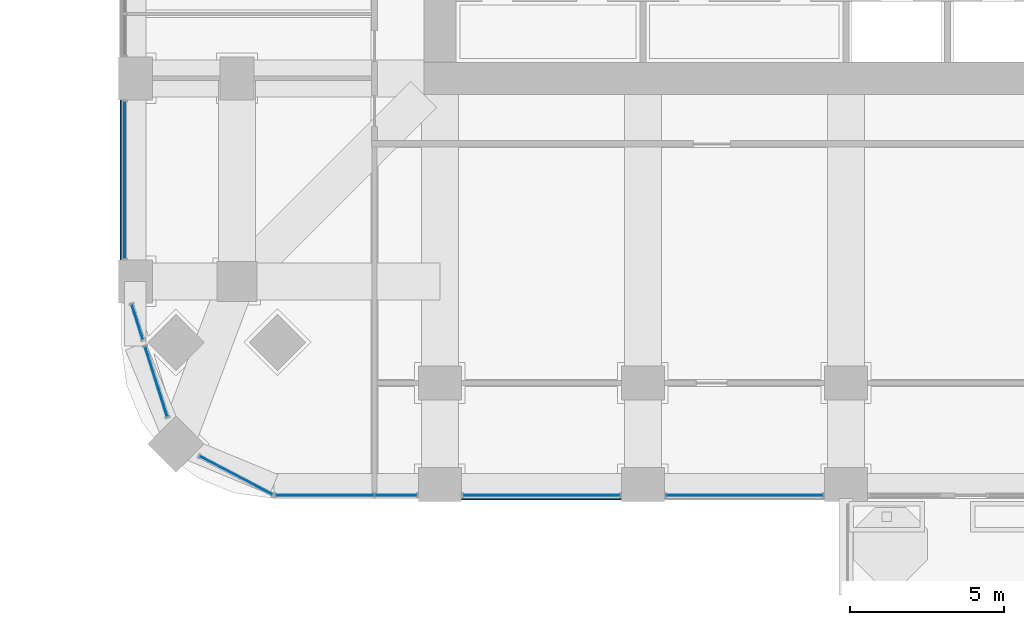
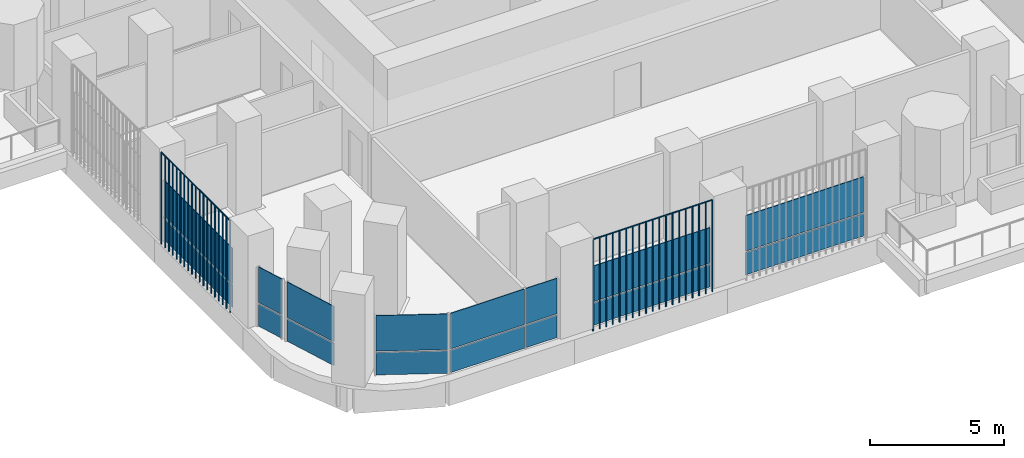
# One storey, part 9 of 22: 18 plates, 7 elements without a shape of their own.
"""IFC4 building model written with IfcOpenShell, lengths in metres."""

from ifc_helpers import new_model, si_unit, direction, frame, origin, origin_2d, place, context, subcontext, project, spatial, polyline, rectangle, outline, extrude, material, layer, layer_set, type_object, element, aggregate, save


model = new_model("IFC4")

# Units and contexts
model_context = context("Model", 3, precision=1e-05, world=origin(), true_north=direction((0.0, 1.0)))
body_context = subcontext(model_context, "Body", "Model", "MODEL_VIEW")
ifc_project = project(units=[si_unit("LENGTHUNIT", "METRE"), si_unit("AREAUNIT", "SQUARE_METRE"), si_unit("VOLUMEUNIT", "CUBIC_METRE"), si_unit("PLANEANGLEUNIT", "RADIAN"), si_unit("MASSUNIT", "GRAM", prefix="KILO")], contexts=[model_context])

# Site, building, storey
site_placement = place(None, origin())
site = spatial("IfcSite", under=ifc_project, at=site_placement, CompositionType="ELEMENT")
building_placement = place(site_placement, origin())
building = spatial("IfcBuilding", under=site, at=building_placement, Name="Cobogo Forest Laboratory Tower", CompositionType="ELEMENT")
storey_placement = place(building_placement, frame((0.0, 0.0, 120.0)))
storey = spatial("IfcBuildingStorey", under=building, at=storey_placement, Name="L27", CompositionType="ELEMENT", Elevation=120.0)

# Curtain wall, plates
ifc_material_1 = material(Name="Aluminium curtain wall", Category="aluminium")
curtain_wall_type = type_object("IfcCurtainWallType", Name="CW-1 unitised curtain wall, clear glazing, laboratory floors zones A and B", PredefinedType="USERDEFINED", material=ifc_material_1)
curtain_wall_1_placement = place(storey_placement, origin())
curtain_wall_1 = element("IfcCurtainWall", 1, at=curtain_wall_1_placement, inside=storey, type_object=curtain_wall_type, Name="Curtain wall 01 L27", ObjectType="UNITISED CURTAIN WALL", PredefinedType="USERDEFINED")
ifc_material_2 = material(Name="Clear insulated glass", Category="glass")
ifc_layer = layer(ifc_material_2, 0.028076171875)
ifc_layer_set = layer_set([ifc_layer], Name="GP-1 clear insulated glass unit 28")
plate_type_1 = type_object("IfcPlateType", Name="GP-1 clear insulated glass unit 28", PredefinedType="CURTAIN_PANEL", material=ifc_layer_set)
plate_1_placement = place(storey_placement, frame((9.452392578125, -0.35009765625, 0.0), z_axis=(0.0, 0.0, 1.0), x_axis=(1.0, 0.0, 0.0)))
plate_1 = element("IfcPlate", 2, at=plate_1_placement, type_object=plate_type_1, Name="CW-1 panel 1.1", PredefinedType="CURTAIN_PANEL", context=body_context, shape_type="SweptSolid", body=[
    extrude(rectangle(XDim=3.18505859375, YDim=0.028076171875, at=origin_2d()), origin(), (0.0, 0.0, 1.0), 1.02001953125),
])
plate_2_placement = place(storey_placement, frame((9.452392578125, -0.35009765625, 1.079833984375), z_axis=(0.0, 0.0, 1.0), x_axis=(1.0, 0.0, 0.0)))
plate_2 = element("IfcPlate", 3, at=plate_2_placement, type_object=plate_type_1, Name="CW-1 panel 1.2", PredefinedType="CURTAIN_PANEL", context=body_context, shape_type="SweptSolid", body=[
    extrude(rectangle(XDim=3.18505859375, YDim=0.028076171875, at=origin_2d()), origin(), (0.0, 0.0, 1.0), 1.6201171875),
])
plate_3_placement = place(storey_placement, frame((11.7724609375, -0.35009765625, 0.0), z_axis=(0.0, 0.0, 1.0), x_axis=(1.0, 0.0, 0.0)))
plate_3 = element("IfcPlate", 4, at=plate_3_placement, type_object=plate_type_1, Name="CW-1 panel 2.1", PredefinedType="CURTAIN_PANEL", context=body_context, shape_type="SweptSolid", body=[
    extrude(rectangle(XDim=1.3349609375, YDim=0.028076171875, at=origin_2d()), origin(), (0.0, 0.0, 1.0), 1.02001953125),
])
plate_4_placement = place(storey_placement, frame((11.7724609375, -0.35009765625, 1.079833984375), z_axis=(0.0, 0.0, 1.0), x_axis=(1.0, 0.0, 0.0)))
plate_4 = element("IfcPlate", 5, at=plate_4_placement, type_object=plate_type_1, Name="CW-1 panel 2.2", PredefinedType="CURTAIN_PANEL", context=body_context, shape_type="SweptSolid", body=[
    extrude(rectangle(XDim=1.3349609375, YDim=0.028076171875, at=origin_2d()), origin(), (0.0, 0.0, 1.0), 1.6201171875),
])
aggregate(curtain_wall_1, [plate_1, plate_2, plate_3, plate_4])

curtain_wall_2_placement = place(storey_placement, origin())
curtain_wall_2 = element("IfcCurtainWall", 6, at=curtain_wall_2_placement, inside=storey, type_object=curtain_wall_type, Name="Curtain wall 02 L27", ObjectType="UNITISED CURTAIN WALL", PredefinedType="USERDEFINED")
plate_5_placement = place(storey_placement, frame((16.5, -0.35009765625, 0.0), z_axis=(0.0, 0.0, 1.0), x_axis=(1.0, 0.0, 0.0)))
plate_5 = element("IfcPlate", 7, at=plate_5_placement, type_object=plate_type_1, Name="CW-1 panel 1.1", PredefinedType="CURTAIN_PANEL", context=body_context, shape_type="SweptSolid", body=[
    extrude(rectangle(XDim=5.080078125, YDim=0.028076171875, at=origin_2d()), origin(), (0.0, 0.0, 1.0), 1.02001953125),
])
plate_6_placement = place(storey_placement, frame((16.5, -0.35009765625, 1.079833984375), z_axis=(0.0, 0.0, 1.0), x_axis=(1.0, 0.0, 0.0)))
plate_6 = element("IfcPlate", 8, at=plate_6_placement, type_object=plate_type_1, Name="CW-1 panel 1.2", PredefinedType="CURTAIN_PANEL", context=body_context, shape_type="SweptSolid", body=[
    extrude(rectangle(XDim=5.080078125, YDim=0.028076171875, at=origin_2d()), origin(), (0.0, 0.0, 1.0), 1.6201171875),
])
aggregate(curtain_wall_2, [plate_5, plate_6])

curtain_wall_3_placement = place(storey_placement, origin())
curtain_wall_3 = element("IfcCurtainWall", 9, at=curtain_wall_3_placement, inside=storey, type_object=curtain_wall_type, Name="Curtain wall 03 L27", ObjectType="UNITISED CURTAIN WALL", PredefinedType="USERDEFINED")
plate_7_placement = place(storey_placement, frame((23.10009765625, -0.35009765625, 0.0), z_axis=(0.0, 0.0, 1.0), x_axis=(1.0, 0.0, 0.0)))
plate_7 = element("IfcPlate", 10, at=plate_7_placement, type_object=plate_type_1, Name="CW-1 panel 1.1", PredefinedType="CURTAIN_PANEL", context=body_context, shape_type="SweptSolid", body=[
    extrude(rectangle(XDim=5.080078125, YDim=0.028076171875, at=origin_2d()), origin(), (0.0, 0.0, 1.0), 1.02001953125),
])
plate_8_placement = place(storey_placement, frame((23.10009765625, -0.35009765625, 1.079833984375), z_axis=(0.0, 0.0, 1.0), x_axis=(1.0, 0.0, 0.0)))
plate_8 = element("IfcPlate", 11, at=plate_8_placement, type_object=plate_type_1, Name="CW-1 panel 1.2", PredefinedType="CURTAIN_PANEL", context=body_context, shape_type="SweptSolid", body=[
    extrude(rectangle(XDim=5.080078125, YDim=0.028076171875, at=origin_2d()), origin(), (0.0, 0.0, 1.0), 1.6201171875),
])
aggregate(curtain_wall_3, [plate_7, plate_8])

curtain_wall_4_placement = place(storey_placement, origin())
curtain_wall_4 = element("IfcCurtainWall", 12, at=curtain_wall_4_placement, inside=storey, type_object=curtain_wall_type, Name="Curtain wall 31 L27", ObjectType="UNITISED CURTAIN WALL", PredefinedType="USERDEFINED")
plate_9_placement = place(storey_placement, frame((2.949951171875, 9.89990234375, 0.0), z_axis=(0.0, 0.0, 1.0), x_axis=(0.0, -1.0, 0.0)))
plate_9 = element("IfcPlate", 13, at=plate_9_placement, type_object=plate_type_1, Name="CW-1 panel 1.1", PredefinedType="CURTAIN_PANEL", context=body_context, shape_type="SweptSolid", body=[
    extrude(rectangle(XDim=5.080078125, YDim=0.028076171875, at=origin_2d()), origin(), (0.0, 0.0, 1.0), 1.02001953125),
])
plate_10_placement = place(storey_placement, frame((2.949951171875, 9.89990234375, 1.079833984375), z_axis=(0.0, 0.0, 1.0), x_axis=(0.0, -1.0, 0.0)))
plate_10 = element("IfcPlate", 14, at=plate_10_placement, type_object=plate_type_1, Name="CW-1 panel 1.2", PredefinedType="CURTAIN_PANEL", context=body_context, shape_type="SweptSolid", body=[
    extrude(rectangle(XDim=5.080078125, YDim=0.028076171875, at=origin_2d()), origin(), (0.0, 0.0, 1.0), 1.6201171875),
])
aggregate(curtain_wall_4, [plate_9, plate_10])

curtain_wall_5_placement = place(storey_placement, origin())
curtain_wall_5 = element("IfcCurtainWall", 15, at=curtain_wall_5_placement, inside=storey, type_object=curtain_wall_type, Name="Curtain wall 32 L27", ObjectType="UNITISED CURTAIN WALL", PredefinedType="USERDEFINED")
plate_11_placement = place(storey_placement, frame((3.3662109375, 5.2822265625, 0.0), z_axis=(0.0, 0.0, 1.0), x_axis=(0.301135356805, -0.953581405483, 0.0)))
plate_11 = element("IfcPlate", 16, at=plate_11_placement, type_object=plate_type_1, Name="CW-1 panel 1.1", PredefinedType="CURTAIN_PANEL", context=body_context, shape_type="SweptSolid", body=[
    extrude(rectangle(XDim=1.17578125, YDim=0.028076171875, at=origin_2d()), origin(), (0.0, 0.0, 1.0), 1.02001953125),
])
plate_12_placement = place(storey_placement, frame((3.3662109375, 5.2822265625, 1.079833984375), z_axis=(0.0, 0.0, 1.0), x_axis=(0.301135356805, -0.953581405483, 0.0)))
plate_12 = element("IfcPlate", 17, at=plate_12_placement, type_object=plate_type_1, Name="CW-1 panel 1.2", PredefinedType="CURTAIN_PANEL", context=body_context, shape_type="SweptSolid", body=[
    extrude(rectangle(XDim=1.17578125, YDim=0.028076171875, at=origin_2d()), origin(), (0.0, 0.0, 1.0), 1.6201171875),
])
aggregate(curtain_wall_5, [plate_11, plate_12])

curtain_wall_6_placement = place(storey_placement, origin())
curtain_wall_6 = element("IfcCurtainWall", 18, at=curtain_wall_6_placement, inside=storey, type_object=curtain_wall_type, Name="Curtain wall 33 L27", ObjectType="UNITISED CURTAIN WALL", PredefinedType="USERDEFINED")
plate_13_placement = place(storey_placement, frame((3.978759765625, 3.342529296875, 0.0), z_axis=(0.0, 0.0, 1.0), x_axis=(0.301135291996, -0.953581425949, 0.0)))
plate_13 = element("IfcPlate", 19, at=plate_13_placement, type_object=plate_type_1, Name="CW-1 panel 1.1", PredefinedType="CURTAIN_PANEL", context=body_context, shape_type="SweptSolid", body=[
    extrude(rectangle(XDim=2.3681640625, YDim=0.028076171875, at=origin_2d()), origin(), (0.0, 0.0, 1.0), 1.02001953125),
])
plate_14_placement = place(storey_placement, frame((3.978759765625, 3.342529296875, 1.079833984375), z_axis=(0.0, 0.0, 1.0), x_axis=(0.301135291996, -0.953581425949, 0.0)))
plate_14 = element("IfcPlate", 20, at=plate_14_placement, type_object=plate_type_1, Name="CW-1 panel 1.2", PredefinedType="CURTAIN_PANEL", context=body_context, shape_type="SweptSolid", body=[
    extrude(rectangle(XDim=2.3681640625, YDim=0.028076171875, at=origin_2d()), origin(), (0.0, 0.0, 1.0), 1.6201171875),
])
aggregate(curtain_wall_6, [plate_13, plate_14])

curtain_wall_7_placement = place(storey_placement, origin())
curtain_wall_7 = element("IfcCurtainWall", 21, at=curtain_wall_7_placement, inside=storey, type_object=curtain_wall_type, Name="Curtain wall 34 L27", ObjectType="UNITISED CURTAIN WALL", PredefinedType="USERDEFINED")
plate_15_placement = place(storey_placement, frame((6.57080078125, 0.29443359375, 0.0), z_axis=(0.0, 0.0, 1.0), x_axis=(0.885686547075, -0.464283685186, 0.0)))
plate_15 = element("IfcPlate", 22, at=plate_15_placement, type_object=plate_type_1, Name="CW-1 panel 1.1", PredefinedType="CURTAIN_PANEL", context=body_context, shape_type="SweptSolid", body=[
    extrude(rectangle(XDim=2.655517578125, YDim=0.028076171875, at=origin_2d()), origin(), (0.0, 0.0, 1.0), 1.02001953125),
])
plate_16_placement = place(storey_placement, frame((6.57080078125, 0.29443359375, 1.079833984375), z_axis=(0.0, 0.0, 1.0), x_axis=(0.885686547075, -0.464283685186, 0.0)))
plate_16 = element("IfcPlate", 23, at=plate_16_placement, type_object=plate_type_1, Name="CW-1 panel 1.2", PredefinedType="CURTAIN_PANEL", context=body_context, shape_type="SweptSolid", body=[
    extrude(rectangle(XDim=2.655517578125, YDim=0.028076171875, at=origin_2d()), origin(), (0.0, 0.0, 1.0), 1.6201171875),
])
aggregate(curtain_wall_7, [plate_15, plate_16])

# Plates
ifc_material_3 = material(Name="Terracotta", Category="masonry")
plate_type_2 = type_object("IfcPlateType", Name="TB1 terracotta baguette screen", PredefinedType="USERDEFINED", material=ifc_material_3)
plate_17_placement = place(storey_placement, frame((13.93115234375, -0.477783203125, -0.14990234375)))
element("IfcPlate", 24, at=plate_17_placement, inside=storey, type_object=plate_type_2, Name="Baguette screen S1 L27", ObjectType="BAGUETTE SCREEN", PredefinedType="USERDEFINED", context=body_context, shape_type="SweptSolid", body=[
    extrude(outline(polyline([(0.02880859375, 0.011962890625), (0.011962890625, 0.02880859375), (-0.011962890625, 0.02880859375), (-0.02880859375, 0.011962890625), (-0.02880859375, -0.011962890625), (-0.011962890625, -0.02880859375), (0.011962890625, -0.02880859375), (0.02880859375, -0.011962890625), (0.02880859375, 0.011962890625)])), frame((0.0, 0.0, 4.168701171875), z_axis=(1.0, 0.0, 0.0), x_axis=(0.0, 1.0, 0.0)), (0.0, 0.0, 1.0), 5.1376953125),
    extrude(outline(polyline([(0.02880859375, 0.011962890625), (0.011962890625, 0.02880859375), (-0.011962890625, 0.02880859375), (-0.02880859375, 0.011962890625), (-0.02880859375, -0.011962890625), (-0.011962890625, -0.02880859375), (0.011962890625, -0.02880859375), (0.02880859375, -0.011962890625), (0.02880859375, 0.011962890625)])), origin(), (0.0, 0.0, 1.0), 4.137451171875),
    extrude(outline(polyline([(0.02880859375, 0.011962890625), (0.011962890625, 0.02880859375), (-0.011962890625, 0.02880859375), (-0.02880859375, 0.011962890625), (-0.02880859375, -0.011962890625), (-0.011962890625, -0.02880859375), (0.011962890625, -0.02880859375), (0.02880859375, -0.011962890625), (0.02880859375, 0.011962890625)])), frame((0.285400390625, 0.0, 0.0)), (0.0, 0.0, 1.0), 4.137451171875),
    extrude(outline(polyline([(0.02880859375, 0.011962890625), (0.011962890625, 0.02880859375), (-0.011962890625, 0.02880859375), (-0.02880859375, 0.011962890625), (-0.02880859375, -0.011962890625), (-0.011962890625, -0.02880859375), (0.011962890625, -0.02880859375), (0.02880859375, -0.011962890625), (0.02880859375, 0.011962890625)])), frame((0.57080078125, 0.0, 0.0)), (0.0, 0.0, 1.0), 4.137451171875),
    extrude(outline(polyline([(0.02880859375, 0.011962890625), (0.011962890625, 0.02880859375), (-0.011962890625, 0.02880859375), (-0.02880859375, 0.011962890625), (-0.02880859375, -0.011962890625), (-0.011962890625, -0.02880859375), (0.011962890625, -0.02880859375), (0.02880859375, -0.011962890625), (0.02880859375, 0.011962890625)])), frame((0.856201171875, 0.0, 0.0)), (0.0, 0.0, 1.0), 4.137451171875),
    extrude(outline(polyline([(0.02880859375, 0.011962890625), (0.011962890625, 0.02880859375), (-0.011962890625, 0.02880859375), (-0.02880859375, 0.011962890625), (-0.02880859375, -0.011962890625), (-0.011962890625, -0.02880859375), (0.011962890625, -0.02880859375), (0.02880859375, -0.011962890625), (0.02880859375, 0.011962890625)])), frame((1.1416015625, 0.0, 0.0)), (0.0, 0.0, 1.0), 4.137451171875),
    extrude(outline(polyline([(0.02880859375, 0.011962890625), (0.011962890625, 0.02880859375), (-0.011962890625, 0.02880859375), (-0.02880859375, 0.011962890625), (-0.02880859375, -0.011962890625), (-0.011962890625, -0.02880859375), (0.011962890625, -0.02880859375), (0.02880859375, -0.011962890625), (0.02880859375, 0.011962890625)])), frame((1.42724609375, 0.0, 0.0)), (0.0, 0.0, 1.0), 4.137451171875),
    extrude(outline(polyline([(0.02880859375, 0.011962890625), (0.011962890625, 0.02880859375), (-0.011962890625, 0.02880859375), (-0.02880859375, 0.011962890625), (-0.02880859375, -0.011962890625), (-0.011962890625, -0.02880859375), (0.011962890625, -0.02880859375), (0.02880859375, -0.011962890625), (0.02880859375, 0.011962890625)])), frame((1.712646484375, 0.0, 0.0)), (0.0, 0.0, 1.0), 4.137451171875),
    extrude(outline(polyline([(0.02880859375, 0.011962890625), (0.011962890625, 0.02880859375), (-0.011962890625, 0.02880859375), (-0.02880859375, 0.011962890625), (-0.02880859375, -0.011962890625), (-0.011962890625, -0.02880859375), (0.011962890625, -0.02880859375), (0.02880859375, -0.011962890625), (0.02880859375, 0.011962890625)])), frame((1.998046875, 0.0, 0.0)), (0.0, 0.0, 1.0), 4.137451171875),
    extrude(outline(polyline([(0.02880859375, 0.011962890625), (0.011962890625, 0.02880859375), (-0.011962890625, 0.02880859375), (-0.02880859375, 0.011962890625), (-0.02880859375, -0.011962890625), (-0.011962890625, -0.02880859375), (0.011962890625, -0.02880859375), (0.02880859375, -0.011962890625), (0.02880859375, 0.011962890625)])), frame((2.283447265625, 0.0, 0.0)), (0.0, 0.0, 1.0), 4.137451171875),
    extrude(outline(polyline([(0.02880859375, 0.011962890625), (0.011962890625, 0.02880859375), (-0.011962890625, 0.02880859375), (-0.02880859375, 0.011962890625), (-0.02880859375, -0.011962890625), (-0.011962890625, -0.02880859375), (0.011962890625, -0.02880859375), (0.02880859375, -0.011962890625), (0.02880859375, 0.011962890625)])), frame((2.56884765625, 0.0, 0.0)), (0.0, 0.0, 1.0), 4.137451171875),
    extrude(outline(polyline([(0.02880859375, 0.011962890625), (0.011962890625, 0.02880859375), (-0.011962890625, 0.02880859375), (-0.02880859375, 0.011962890625), (-0.02880859375, -0.011962890625), (-0.011962890625, -0.02880859375), (0.011962890625, -0.02880859375), (0.02880859375, -0.011962890625), (0.02880859375, 0.011962890625)])), frame((2.854248046875, 0.0, 0.0)), (0.0, 0.0, 1.0), 4.137451171875),
    extrude(outline(polyline([(0.02880859375, 0.011962890625), (0.011962890625, 0.02880859375), (-0.011962890625, 0.02880859375), (-0.02880859375, 0.011962890625), (-0.02880859375, -0.011962890625), (-0.011962890625, -0.02880859375), (0.011962890625, -0.02880859375), (0.02880859375, -0.011962890625), (0.02880859375, 0.011962890625)])), frame((3.1396484375, 0.0, 0.0)), (0.0, 0.0, 1.0), 4.137451171875),
    extrude(outline(polyline([(0.02880859375, 0.011962890625), (0.011962890625, 0.02880859375), (-0.011962890625, 0.02880859375), (-0.02880859375, 0.011962890625), (-0.02880859375, -0.011962890625), (-0.011962890625, -0.02880859375), (0.011962890625, -0.02880859375), (0.02880859375, -0.011962890625), (0.02880859375, 0.011962890625)])), frame((3.425048828125, 0.0, 0.0)), (0.0, 0.0, 1.0), 4.137451171875),
    extrude(outline(polyline([(0.02880859375, 0.011962890625), (0.011962890625, 0.02880859375), (-0.011962890625, 0.02880859375), (-0.02880859375, 0.011962890625), (-0.02880859375, -0.011962890625), (-0.011962890625, -0.02880859375), (0.011962890625, -0.02880859375), (0.02880859375, -0.011962890625), (0.02880859375, 0.011962890625)])), frame((3.71044921875, 0.0, 0.0)), (0.0, 0.0, 1.0), 4.137451171875),
    extrude(outline(polyline([(0.02880859375, 0.011962890625), (0.011962890625, 0.02880859375), (-0.011962890625, 0.02880859375), (-0.02880859375, 0.011962890625), (-0.02880859375, -0.011962890625), (-0.011962890625, -0.02880859375), (0.011962890625, -0.02880859375), (0.02880859375, -0.011962890625), (0.02880859375, 0.011962890625)])), frame((3.99609375, 0.0, 0.0)), (0.0, 0.0, 1.0), 4.137451171875),
    extrude(outline(polyline([(0.02880859375, 0.011962890625), (0.011962890625, 0.02880859375), (-0.011962890625, 0.02880859375), (-0.02880859375, 0.011962890625), (-0.02880859375, -0.011962890625), (-0.011962890625, -0.02880859375), (0.011962890625, -0.02880859375), (0.02880859375, -0.011962890625), (0.02880859375, 0.011962890625)])), frame((4.281494140625, 0.0, 0.0)), (0.0, 0.0, 1.0), 4.137451171875),
    extrude(outline(polyline([(0.02880859375, 0.011962890625), (0.011962890625, 0.02880859375), (-0.011962890625, 0.02880859375), (-0.02880859375, 0.011962890625), (-0.02880859375, -0.011962890625), (-0.011962890625, -0.02880859375), (0.011962890625, -0.02880859375), (0.02880859375, -0.011962890625), (0.02880859375, 0.011962890625)])), frame((4.56689453125, 0.0, 0.0)), (0.0, 0.0, 1.0), 4.137451171875),
    extrude(outline(polyline([(0.02880859375, 0.011962890625), (0.011962890625, 0.02880859375), (-0.011962890625, 0.02880859375), (-0.02880859375, 0.011962890625), (-0.02880859375, -0.011962890625), (-0.011962890625, -0.02880859375), (0.011962890625, -0.02880859375), (0.02880859375, -0.011962890625), (0.02880859375, 0.011962890625)])), frame((4.852294921875, 0.0, 0.0)), (0.0, 0.0, 1.0), 4.137451171875),
    extrude(outline(polyline([(0.02880859375, 0.011962890625), (0.011962890625, 0.02880859375), (-0.011962890625, 0.02880859375), (-0.02880859375, 0.011962890625), (-0.02880859375, -0.011962890625), (-0.011962890625, -0.02880859375), (0.011962890625, -0.02880859375), (0.02880859375, -0.011962890625), (0.02880859375, 0.011962890625)])), frame((5.1376953125, 0.0, 0.0)), (0.0, 0.0, 1.0), 4.137451171875),
])
plate_18_placement = place(storey_placement, frame((2.822021484375, 7.331298828125, -0.14990234375)))
element("IfcPlate", 25, at=plate_18_placement, inside=storey, type_object=plate_type_2, Name="Baguette screen W1 L27", ObjectType="BAGUETTE SCREEN", PredefinedType="USERDEFINED", context=body_context, shape_type="SweptSolid", body=[
    extrude(outline(polyline([(0.02880859375, 0.011962890625), (0.011962890625, 0.02880859375), (-0.011962890625, 0.02880859375), (-0.02880859375, 0.011962890625), (-0.02880859375, -0.011962890625), (-0.011962890625, -0.02880859375), (0.011962890625, -0.02880859375), (0.02880859375, -0.011962890625), (0.02880859375, 0.011962890625)])), frame((0.0, 0.0, 4.168701171875), z_axis=(0.0, 1.0, 0.0), x_axis=(-1.0, 0.0, 0.0)), (0.0, 0.0, 1.0), 5.137451171875),
    extrude(outline(polyline([(0.02880859375, 0.011962890625), (0.011962890625, 0.02880859375), (-0.011962890625, 0.02880859375), (-0.02880859375, 0.011962890625), (-0.02880859375, -0.011962890625), (-0.011962890625, -0.02880859375), (0.011962890625, -0.02880859375), (0.02880859375, -0.011962890625), (0.02880859375, 0.011962890625)])), origin(), (0.0, 0.0, 1.0), 4.137451171875),
    extrude(outline(polyline([(0.02880859375, 0.011962890625), (0.011962890625, 0.02880859375), (-0.011962890625, 0.02880859375), (-0.02880859375, 0.011962890625), (-0.02880859375, -0.011962890625), (-0.011962890625, -0.02880859375), (0.011962890625, -0.02880859375), (0.02880859375, -0.011962890625), (0.02880859375, 0.011962890625)])), frame((0.0, 0.285400390625, 0.0)), (0.0, 0.0, 1.0), 4.137451171875),
    extrude(outline(polyline([(0.02880859375, 0.011962890625), (0.011962890625, 0.02880859375), (-0.011962890625, 0.02880859375), (-0.02880859375, 0.011962890625), (-0.02880859375, -0.011962890625), (-0.011962890625, -0.02880859375), (0.011962890625, -0.02880859375), (0.02880859375, -0.011962890625), (0.02880859375, 0.011962890625)])), frame((0.0, 0.57080078125, 0.0)), (0.0, 0.0, 1.0), 4.137451171875),
    extrude(outline(polyline([(0.02880859375, 0.011962890625), (0.011962890625, 0.02880859375), (-0.011962890625, 0.02880859375), (-0.02880859375, 0.011962890625), (-0.02880859375, -0.011962890625), (-0.011962890625, -0.02880859375), (0.011962890625, -0.02880859375), (0.02880859375, -0.011962890625), (0.02880859375, 0.011962890625)])), frame((0.0, 0.856201171875, 0.0)), (0.0, 0.0, 1.0), 4.137451171875),
    extrude(outline(polyline([(0.02880859375, 0.011962890625), (0.011962890625, 0.02880859375), (-0.011962890625, 0.02880859375), (-0.02880859375, 0.011962890625), (-0.02880859375, -0.011962890625), (-0.011962890625, -0.02880859375), (0.011962890625, -0.02880859375), (0.02880859375, -0.011962890625), (0.02880859375, 0.011962890625)])), frame((0.0, 1.1416015625, 0.0)), (0.0, 0.0, 1.0), 4.137451171875),
    extrude(outline(polyline([(0.02880859375, 0.011962890625), (0.011962890625, 0.02880859375), (-0.011962890625, 0.02880859375), (-0.02880859375, 0.011962890625), (-0.02880859375, -0.011962890625), (-0.011962890625, -0.02880859375), (0.011962890625, -0.02880859375), (0.02880859375, -0.011962890625), (0.02880859375, 0.011962890625)])), frame((0.0, 1.427001953125, 0.0)), (0.0, 0.0, 1.0), 4.137451171875),
    extrude(outline(polyline([(0.02880859375, 0.011962890625), (0.011962890625, 0.02880859375), (-0.011962890625, 0.02880859375), (-0.02880859375, 0.011962890625), (-0.02880859375, -0.011962890625), (-0.011962890625, -0.02880859375), (0.011962890625, -0.02880859375), (0.02880859375, -0.011962890625), (0.02880859375, 0.011962890625)])), frame((0.0, 1.71240234375, 0.0)), (0.0, 0.0, 1.0), 4.137451171875),
    extrude(outline(polyline([(0.02880859375, 0.011962890625), (0.011962890625, 0.02880859375), (-0.011962890625, 0.02880859375), (-0.02880859375, 0.011962890625), (-0.02880859375, -0.011962890625), (-0.011962890625, -0.02880859375), (0.011962890625, -0.02880859375), (0.02880859375, -0.011962890625), (0.02880859375, 0.011962890625)])), frame((0.0, 1.997802734375, 0.0)), (0.0, 0.0, 1.0), 4.137451171875),
    extrude(outline(polyline([(0.02880859375, 0.011962890625), (0.011962890625, 0.02880859375), (-0.011962890625, 0.02880859375), (-0.02880859375, 0.011962890625), (-0.02880859375, -0.011962890625), (-0.011962890625, -0.02880859375), (0.011962890625, -0.02880859375), (0.02880859375, -0.011962890625), (0.02880859375, 0.011962890625)])), frame((0.0, 2.283203125, 0.0)), (0.0, 0.0, 1.0), 4.137451171875),
    extrude(outline(polyline([(0.02880859375, 0.011962890625), (0.011962890625, 0.02880859375), (-0.011962890625, 0.02880859375), (-0.02880859375, 0.011962890625), (-0.02880859375, -0.011962890625), (-0.011962890625, -0.02880859375), (0.011962890625, -0.02880859375), (0.02880859375, -0.011962890625), (0.02880859375, 0.011962890625)])), frame((0.0, 2.56884765625, 0.0)), (0.0, 0.0, 1.0), 4.137451171875),
    extrude(outline(polyline([(0.02880859375, 0.011962890625), (0.011962890625, 0.02880859375), (-0.011962890625, 0.02880859375), (-0.02880859375, 0.011962890625), (-0.02880859375, -0.011962890625), (-0.011962890625, -0.02880859375), (0.011962890625, -0.02880859375), (0.02880859375, -0.011962890625), (0.02880859375, 0.011962890625)])), frame((0.0, 2.854248046875, 0.0)), (0.0, 0.0, 1.0), 4.137451171875),
    extrude(outline(polyline([(0.02880859375, 0.011962890625), (0.011962890625, 0.02880859375), (-0.011962890625, 0.02880859375), (-0.02880859375, 0.011962890625), (-0.02880859375, -0.011962890625), (-0.011962890625, -0.02880859375), (0.011962890625, -0.02880859375), (0.02880859375, -0.011962890625), (0.02880859375, 0.011962890625)])), frame((0.0, 3.1396484375, 0.0)), (0.0, 0.0, 1.0), 4.137451171875),
    extrude(outline(polyline([(0.02880859375, 0.011962890625), (0.011962890625, 0.02880859375), (-0.011962890625, 0.02880859375), (-0.02880859375, 0.011962890625), (-0.02880859375, -0.011962890625), (-0.011962890625, -0.02880859375), (0.011962890625, -0.02880859375), (0.02880859375, -0.011962890625), (0.02880859375, 0.011962890625)])), frame((0.0, 3.425048828125, 0.0)), (0.0, 0.0, 1.0), 4.137451171875),
    extrude(outline(polyline([(0.02880859375, 0.011962890625), (0.011962890625, 0.02880859375), (-0.011962890625, 0.02880859375), (-0.02880859375, 0.011962890625), (-0.02880859375, -0.011962890625), (-0.011962890625, -0.02880859375), (0.011962890625, -0.02880859375), (0.02880859375, -0.011962890625), (0.02880859375, 0.011962890625)])), frame((0.0, 3.71044921875, 0.0)), (0.0, 0.0, 1.0), 4.137451171875),
    extrude(outline(polyline([(0.02880859375, 0.011962890625), (0.011962890625, 0.02880859375), (-0.011962890625, 0.02880859375), (-0.02880859375, 0.011962890625), (-0.02880859375, -0.011962890625), (-0.011962890625, -0.02880859375), (0.011962890625, -0.02880859375), (0.02880859375, -0.011962890625), (0.02880859375, 0.011962890625)])), frame((0.0, 3.995849609375, 0.0)), (0.0, 0.0, 1.0), 4.137451171875),
    extrude(outline(polyline([(0.02880859375, 0.011962890625), (0.011962890625, 0.02880859375), (-0.011962890625, 0.02880859375), (-0.02880859375, 0.011962890625), (-0.02880859375, -0.011962890625), (-0.011962890625, -0.02880859375), (0.011962890625, -0.02880859375), (0.02880859375, -0.011962890625), (0.02880859375, 0.011962890625)])), frame((0.0, 4.28125, 0.0)), (0.0, 0.0, 1.0), 4.137451171875),
    extrude(outline(polyline([(0.02880859375, 0.011962890625), (0.011962890625, 0.02880859375), (-0.011962890625, 0.02880859375), (-0.02880859375, 0.011962890625), (-0.02880859375, -0.011962890625), (-0.011962890625, -0.02880859375), (0.011962890625, -0.02880859375), (0.02880859375, -0.011962890625), (0.02880859375, 0.011962890625)])), frame((0.0, 4.566650390625, 0.0)), (0.0, 0.0, 1.0), 4.137451171875),
    extrude(outline(polyline([(0.02880859375, 0.011962890625), (0.011962890625, 0.02880859375), (-0.011962890625, 0.02880859375), (-0.02880859375, 0.011962890625), (-0.02880859375, -0.011962890625), (-0.011962890625, -0.02880859375), (0.011962890625, -0.02880859375), (0.02880859375, -0.011962890625), (0.02880859375, 0.011962890625)])), frame((0.0, 4.85205078125, 0.0)), (0.0, 0.0, 1.0), 4.137451171875),
    extrude(outline(polyline([(0.02880859375, 0.011962890625), (0.011962890625, 0.02880859375), (-0.011962890625, 0.02880859375), (-0.02880859375, 0.011962890625), (-0.02880859375, -0.011962890625), (-0.011962890625, -0.02880859375), (0.011962890625, -0.02880859375), (0.02880859375, -0.011962890625), (0.02880859375, 0.011962890625)])), frame((0.0, 5.137451171875, 0.0)), (0.0, 0.0, 1.0), 4.137451171875),
])

save(model, "model.ifc")
